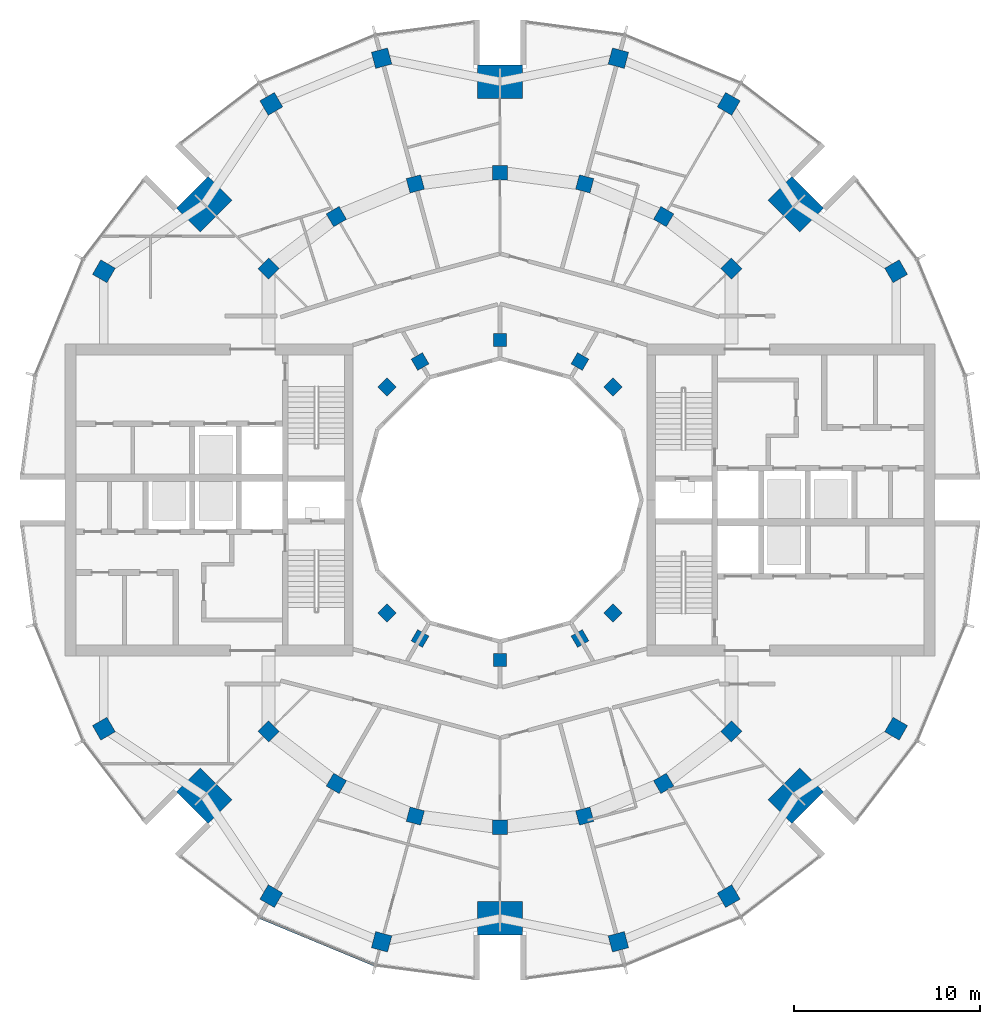
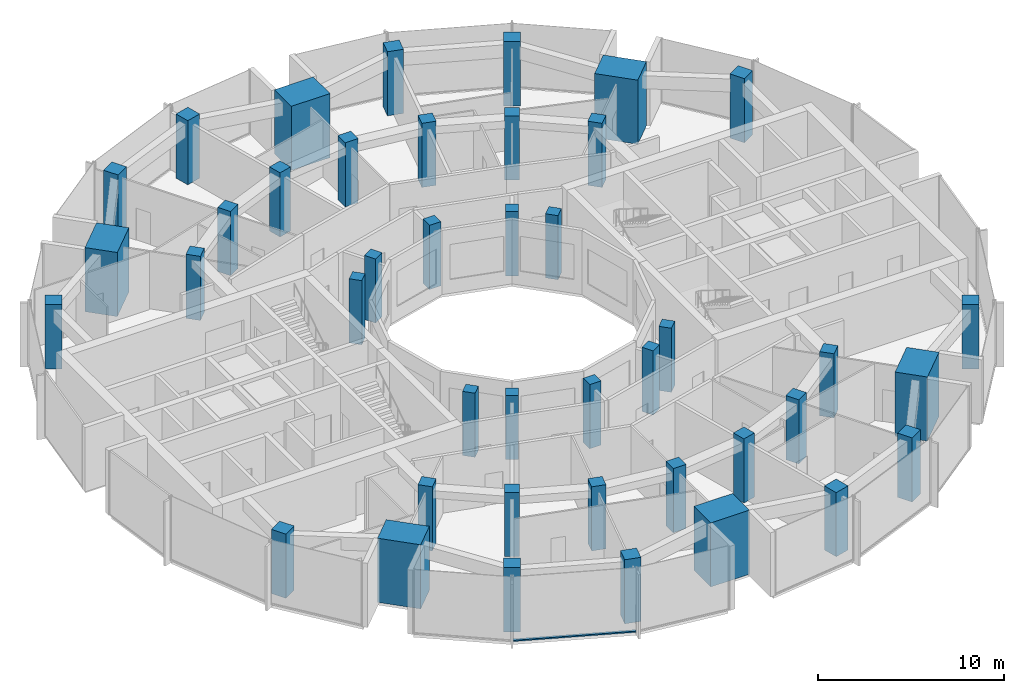
# One storey, part 1 of 15: 42 columns, 1 member, 1 element without a shape of its own.
"""IFC4 building model written with IfcOpenShell, lengths in metres."""

from ifc_helpers import new_model, si_unit, direction, frame, origin, origin_2d, place, context, subcontext, project, spatial, rectangle, extrude, material, layer, layer_set, material_profile, profile_set, type_object, element, aggregate, save


model = new_model("IFC4")

# Units and contexts
model_context = context("Model", 3, precision=1e-05, world=origin(), true_north=direction((0.0, 1.0)))
body_context = subcontext(model_context, "Body", "Model", "MODEL_VIEW")
ifc_project = project(units=[si_unit("LENGTHUNIT", "METRE"), si_unit("AREAUNIT", "SQUARE_METRE"), si_unit("VOLUMEUNIT", "CUBIC_METRE"), si_unit("PLANEANGLEUNIT", "RADIAN"), si_unit("MASSUNIT", "GRAM", prefix="KILO")], contexts=[model_context])

# Site, building, storey
site_placement = place(None, origin())
site = spatial("IfcSite", under=ifc_project, at=site_placement, CompositionType="ELEMENT")
building_placement = place(site_placement, origin())
building = spatial("IfcBuilding", under=site, at=building_placement, Name="Torre Brocal", CompositionType="ELEMENT")
storey_placement = place(building_placement, frame((0.0, 0.0, 245.699951171875)))
storey = spatial("IfcBuildingStorey", under=building, at=storey_placement, Name="L56", CompositionType="ELEMENT", Elevation=245.699951171875)

# Columns
ifc_material_1 = material(Name="Concrete C60", Category="concrete")
ifc_material_profile_1 = material_profile(ifc_material_1, rectangle(XDim=1.800048828125, YDim=2.39990234375, at=origin_2d()), Name="RC 1800X2400")
ifc_profile_set_1 = profile_set([ifc_material_profile_1], Name="Concrete C60")
column_type_1 = type_object("IfcColumnType", Name="RC COLUMN 1800X2400 C60", PredefinedType="COLUMN", material=ifc_profile_set_1)
for number, where, z_axis, x_axis, name in (
    (1, (95.909912109375, 90.909912109375, 0.0), (0.0, 0.0, 1.0), (0.707106781187, 0.707106781187, 0.0), "Column MC-1"),
    (2, (80.0, 97.5, 0.0), (0.0, 0.0, 1.0), (0.0, 1.0, 0.0), "Column MC-2"),
    (3, (64.090087890625, 90.909912109375, 0.0), (0.0, 0.0, 1.0), (-0.707106781187, 0.707106781187, 0.0), "Column MC-3"),
    (4, (64.090087890625, 59.090087890625, 0.0), (0.0, 0.0, 1.0), (-0.707106781187, -0.707106781187, 0.0), "Column MC-5"),
    (5, (80.0, 52.5, 0.0), (0.0, 0.0, 1.0), (0.0, -1.0, 0.0), "Column MC-6"),
    (6, (95.909912109375, 59.090087890625, 0.0), (0.0, 0.0, 1.0), (0.707106781187, -0.707106781187, 0.0), "Column MC-7"),
):
    element("IfcColumn", number, at=place(storey_placement, frame(where, z_axis=z_axis, x_axis=x_axis)), inside=storey, type_object=column_type_1, Name=name, PredefinedType="COLUMN", context=body_context, shape_type="SweptSolid", body=[
        extrude(rectangle(XDim=1.800048828125, YDim=2.39990234375, at=origin_2d()), origin(), (0.0, 0.0, 1.0), 4.199951171875),
    ])
ifc_material_2 = material(Name="Concrete C60", Category="concrete")
ifc_material_profile_2 = material_profile(ifc_material_2, rectangle(XDim=0.699951171875, YDim=0.699951171875, at=origin_2d()), Name="RC 700X700")
ifc_profile_set_2 = profile_set([ifc_material_profile_2], Name="Concrete C60")
column_type_2 = type_object("IfcColumnType", Name="RC COLUMN 700X700 C60", PredefinedType="COLUMN", material=ifc_profile_set_2)
for number, where, z_axis, x_axis, name in (
    (7, (86.0810546875, 81.0810546875, 0.0), (0.0, 0.0, 1.0), (0.707106781187, 0.707106781187, 0.0), "Column C-I03"),
    (8, (84.300048828125, 82.44775390625, 0.0), (0.0, 0.0, 1.0), (0.5, 0.866025403784, 0.0), "Column C-I04"),
    (9, (80.0, 83.60009765625, 0.0), (0.0, 0.0, 1.0), (0.0, 1.0, 0.0), "Column C-I06"),
    (10, (75.699951171875, 82.44775390625, 0.0), (0.0, 0.0, 1.0), (-0.5, 0.866025403784, 0.0), "Column C-I08"),
    (11, (73.9189453125, 81.0810546875, 0.0), (0.0, 0.0, 1.0), (-0.707106781187, 0.707106781187, 0.0), "Column C-I09"),
    (12, (73.9189453125, 68.9189453125, 0.0), (0.0, 0.0, 1.0), (-0.707106781187, -0.707106781187, 0.0), "Column C-I15"),
    (13, (75.699951171875, 67.55224609375, 0.0), (0.0, 0.0, 1.0), (-0.5, -0.866025403784, 0.0), "Column C-I16"),
    (14, (80.0, 66.39990234375, 0.0), (0.0, 0.0, 1.0), (0.0, -1.0, 0.0), "Column C-I18"),
    (15, (84.300048828125, 67.55224609375, 0.0), (0.0, 0.0, 1.0), (0.5, -0.866025403784, 0.0), "Column C-I20"),
    (16, (86.0810546875, 68.9189453125, 0.0), (0.0, 0.0, 1.0), (0.707106781187, -0.707106781187, 0.0), "Column C-I21"),
):
    element("IfcColumn", number, at=place(storey_placement, frame(where, z_axis=z_axis, x_axis=x_axis)), inside=storey, type_object=column_type_2, Name=name, PredefinedType="COLUMN", context=body_context, shape_type="SweptSolid", body=[
        extrude(rectangle(XDim=0.699951171875, YDim=0.699951171875, at=origin_2d()), origin(), (0.0, 0.0, 1.0), 4.199951171875),
    ])
ifc_material_3 = material(Name="Concrete C60", Category="concrete")
ifc_material_profile_3 = material_profile(ifc_material_3, rectangle(XDim=0.800048828125, YDim=0.800048828125, at=origin_2d()), Name="RC 800X800")
ifc_profile_set_3 = profile_set([ifc_material_profile_3], Name="Concrete C60")
column_type_3 = type_object("IfcColumnType", Name="RC COLUMN 800X800 C60", PredefinedType="COLUMN", material=ifc_profile_set_3)
for number, where, z_axis, x_axis, name in (
    (17, (92.445068359375, 87.445068359375, 0.0), (0.0, 0.0, 1.0), (0.707106781187, 0.707106781187, 0.0), "Column C-M03"),
    (18, (88.800048828125, 90.241943359375, 0.0), (0.0, 0.0, 1.0), (0.5, 0.866025403784, 0.0), "Column C-M04"),
    (19, (84.55517578125, 92.000244140625, 0.0), (0.0, 0.0, 1.0), (0.258819045103, 0.965925826289, 0.0), "Column C-M05"),
    (20, (80.0, 92.60009765625, 0.0), (0.0, 0.0, 1.0), (0.0, 1.0, 0.0), "Column C-M06"),
    (21, (75.44482421875, 92.000244140625, 0.0), (0.0, 0.0, 1.0), (-0.258819045103, 0.965925826289, 0.0), "Column C-M07"),
    (22, (71.199951171875, 90.241943359375, 0.0), (0.0, 0.0, 1.0), (-0.5, 0.866025403784, 0.0), "Column C-M08"),
    (23, (67.554931640625, 87.445068359375, 0.0), (0.0, 0.0, 1.0), (-0.707106781187, 0.707106781187, 0.0), "Column C-M09"),
    (24, (67.554931640625, 62.554931640625, 0.0), (0.0, 0.0, 1.0), (-0.707106781187, -0.707106781187, 0.0), "Column C-M15"),
    (25, (71.199951171875, 59.758056640625, 0.0), (0.0, 0.0, 1.0), (-0.5, -0.866025403784, 0.0), "Column C-M16"),
    (26, (75.44482421875, 57.999755859375, 0.0), (0.0, 0.0, 1.0), (-0.258819045103, -0.965925826289, 0.0), "Column C-M17"),
    (27, (80.0, 57.39990234375, 0.0), (0.0, 0.0, 1.0), (0.0, -1.0, 0.0), "Column C-M18"),
    (28, (84.55517578125, 57.999755859375, 0.0), (0.0, 0.0, 1.0), (0.258819045103, -0.965925826289, 0.0), "Column C-M19"),
    (29, (88.800048828125, 59.758056640625, 0.0), (0.0, 0.0, 1.0), (0.5, -0.866025403784, 0.0), "Column C-M20"),
    (30, (92.445068359375, 62.554931640625, 0.0), (0.0, 0.0, 1.0), (0.707106781187, -0.707106781187, 0.0), "Column C-M21"),
):
    element("IfcColumn", number, at=place(storey_placement, frame(where, z_axis=z_axis, x_axis=x_axis)), inside=storey, type_object=column_type_3, Name=name, PredefinedType="COLUMN", context=body_context, shape_type="SweptSolid", body=[
        extrude(rectangle(XDim=0.800048828125, YDim=0.800048828125, at=origin_2d()), origin(), (0.0, 0.0, 1.0), 4.199951171875),
    ])
ifc_material_4 = material(Name="Concrete C60", Category="concrete")
ifc_material_profile_4 = material_profile(ifc_material_4, rectangle(XDim=0.89990234375, YDim=0.89990234375, at=origin_2d()), Name="RC 900X900")
ifc_profile_set_4 = profile_set([ifc_material_profile_4], Name="Concrete C60")
column_type_4 = type_object("IfcColumnType", Name="RC COLUMN 900X900 C60", PredefinedType="COLUMN", material=ifc_profile_set_4)
for number, where, z_axis, x_axis, name in (
    (31, (101.30419921875, 87.300048828125, 0.0), (0.0, 0.0, 1.0), (0.866025403784, 0.5, 0.0), "Column C-O02"),
    (32, (92.300048828125, 96.30419921875, 0.0), (0.0, 0.0, 1.0), (0.5, 0.866025403784, 0.0), "Column C-O04"),
    (33, (86.366943359375, 98.76171875, 0.0), (0.0, 0.0, 1.0), (0.258819045103, 0.965925826289, 0.0), "Column C-O05"),
    (34, (73.633056640625, 98.76171875, 0.0), (0.0, 0.0, 1.0), (-0.258819045103, 0.965925826289, 0.0), "Column C-O07"),
    (35, (67.699951171875, 96.30419921875, 0.0), (0.0, 0.0, 1.0), (-0.5, 0.866025403784, 0.0), "Column C-O08"),
    (36, (58.69580078125, 87.300048828125, 0.0), (0.0, 0.0, 1.0), (-0.866025403784, 0.5, 0.0), "Column C-O10"),
    (37, (58.69580078125, 62.699951171875, 0.0), (0.0, 0.0, 1.0), (-0.866025403784, -0.5, 0.0), "Column C-O14"),
    (38, (67.699951171875, 53.69580078125, 0.0), (0.0, 0.0, 1.0), (-0.5, -0.866025403784, 0.0), "Column C-O16"),
    (39, (73.633056640625, 51.23828125, 0.0), (0.0, 0.0, 1.0), (-0.258819045103, -0.965925826289, 0.0), "Column C-O17"),
    (40, (86.366943359375, 51.23828125, 0.0), (0.0, 0.0, 1.0), (0.258819045103, -0.965925826289, 0.0), "Column C-O19"),
    (41, (92.300048828125, 53.69580078125, 0.0), (0.0, 0.0, 1.0), (0.5, -0.866025403784, 0.0), "Column C-O20"),
    (42, (101.30419921875, 62.699951171875, 0.0), (0.0, 0.0, 1.0), (0.866025403784, -0.5, 0.0), "Column C-O22"),
):
    element("IfcColumn", number, at=place(storey_placement, frame(where, z_axis=z_axis, x_axis=x_axis)), inside=storey, type_object=column_type_4, Name=name, PredefinedType="COLUMN", context=body_context, shape_type="SweptSolid", body=[
        extrude(rectangle(XDim=0.89990234375, YDim=0.89990234375, at=origin_2d()), origin(), (0.0, 0.0, 1.0), 4.199951171875),
    ])

# Curtain wall, member
ifc_material_5 = material(Name="Aluminium and glass", Category="aluminium")
ifc_layer = layer(ifc_material_5, 0.199951171875)
ifc_layer_set = layer_set([ifc_layer], Name="Aluminium and glass")
curtain_wall_type = type_object("IfcCurtainWallType", Name="CW-1 CURTAIN WALL 4200 HIGH", PredefinedType="NOTDEFINED", material=ifc_layer_set)
curtain_wall_placement = place(storey_placement, origin())
curtain_wall = element("IfcCurtainWall", 43, at=curtain_wall_placement, inside=storey, type_object=curtain_wall_type, Name="CW-1 RUN 17", PredefinedType="NOTDEFINED")
ifc_material_6 = material(Name="Aluminium, dark anodised", Category="aluminium")
ifc_material_profile_5 = material_profile(ifc_material_6, rectangle(XDim=0.159912109375, YDim=0.080078125, at=origin_2d()), Name="CW-1 TRANSOM 160X80")
ifc_profile_set_5 = profile_set([ifc_material_profile_5], Name="Aluminium, dark anodised")
member_type = type_object("IfcMemberType", Name="CW-1 TRANSOM 160X80", PredefinedType="USERDEFINED", material=ifc_profile_set_5)
member_placement = place(storey_placement, frame((67.10595703125, 52.547607421875, 0.0400390625), z_axis=(0.923887344364, -0.38266457234, 0.0), x_axis=(0.38266457234, 0.923887344364, 0.0)))
member = element("IfcMember", 44, at=member_placement, type_object=member_type, Name="CW1-5 transom 1.1", ObjectType="TRANSOM", PredefinedType="USERDEFINED", context=body_context, shape_type="SweptSolid", body=[
    extrude(rectangle(XDim=0.159912109375, YDim=0.080078125, at=origin_2d()), origin(), (0.0, 0.0, 1.0), 6.640869140625),
])
aggregate(curtain_wall, [member])

save(model, "model.ifc")
